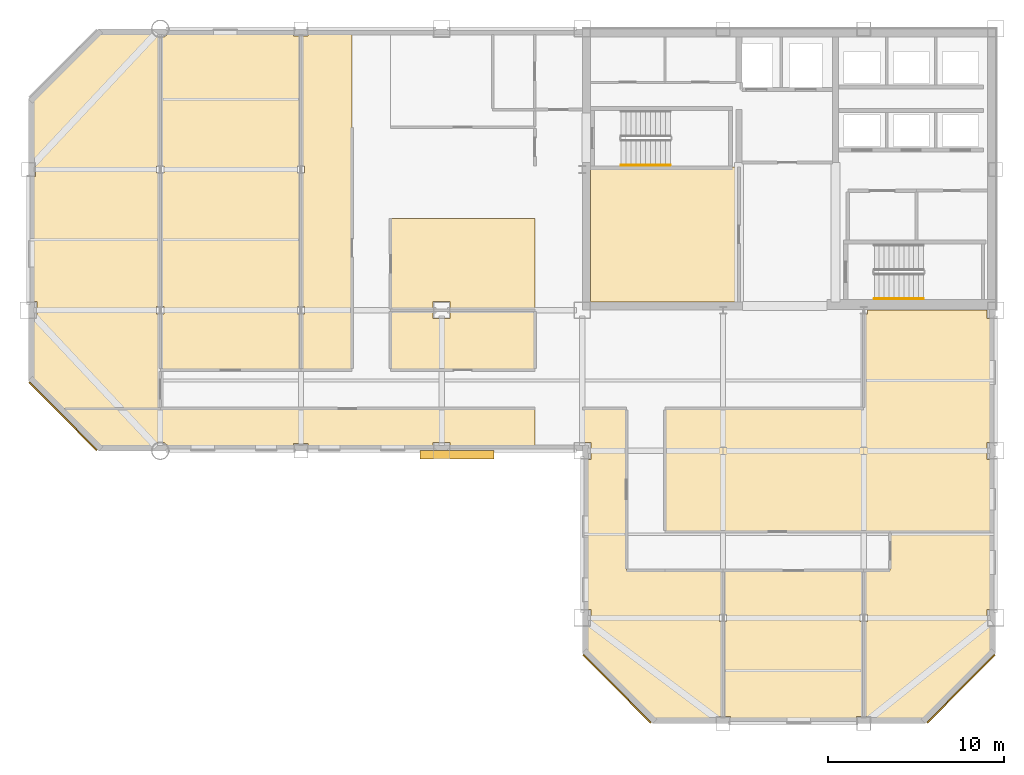
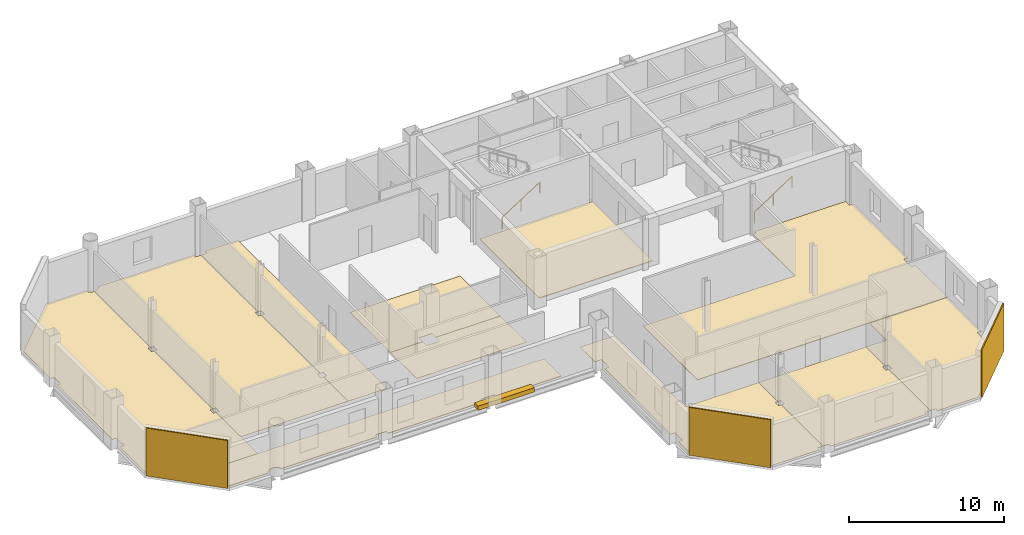
# One storey, part 7 of 10: 14 coverings, 2 railings, 1 shading device.
"""IFC4 building model written with IfcOpenShell, lengths in metres."""

from ifc_helpers import new_model, si_unit, direction, frame, origin, origin_2d, place, context, subcontext, project, spatial, polyline, rectangle, circle, outline, extrude, material, layer, layer_set, type_object, element, save


model = new_model("IFC4")

# Units and contexts
model_context = context("Model", 3, precision=1e-05, world=origin(), true_north=direction((0.0, 1.0)))
body_context = subcontext(model_context, "Body", "Model", "MODEL_VIEW")
ifc_project = project(units=[si_unit("LENGTHUNIT", "METRE"), si_unit("AREAUNIT", "SQUARE_METRE"), si_unit("VOLUMEUNIT", "CUBIC_METRE"), si_unit("PLANEANGLEUNIT", "RADIAN"), si_unit("MASSUNIT", "GRAM", prefix="KILO")], contexts=[model_context])

# Site, building, storey
site_placement = place(None, origin())
site = spatial("IfcSite", under=ifc_project, at=site_placement, CompositionType="ELEMENT")
building_placement = place(site_placement, origin())
building = spatial("IfcBuilding", under=site, at=building_placement, Name="Qianrong Seaharbour Tower", CompositionType="ELEMENT")
storey_placement = place(building_placement, frame((0.0, 0.0, 217.800048828125)))
storey = spatial("IfcBuildingStorey", under=building, at=storey_placement, Name="L52", CompositionType="ELEMENT", Elevation=217.800048828125)

# Coverings
ifc_material_1 = material(Name="Unitised red brick cladding on Precast concrete C45/55", Category="masonry")
ifc_layer_1 = layer(ifc_material_1, 0.080078125)
ifc_layer_set_1 = layer_set([ifc_layer_1], Name="Unitised red brick cladding on Precast concrete C45/55")
covering_type_1 = type_object("IfcCoveringType", Name="COV-CLAD-RED-BRICK-80", PredefinedType="CLADDING", material=ifc_layer_set_1)
for number, where, z_axis, x_axis, name in (
    (1, (10.9716796875, 29.9716796875, 0.0), (0.0, 0.0, 1.0), (-0.707106781187, 0.707106781187, 0.0), "L52 Chamfer Corner Brick Cladding 02"),
    (2, (62.0283203125, 14.4716796875, 0.0), (0.0, 0.0, 1.0), (-0.707106781187, -0.707106781187, 0.0), "L52 Chamfer Corner Brick Cladding 07"),
    (3, (42.4716796875, 14.4716796875, 0.0), (0.0, 0.0, 1.0), (-0.707106781187, 0.707106781187, 0.0), "L52 Chamfer Corner Brick Cladding 09"),
):
    element("IfcCovering", number, at=place(storey_placement, frame(where, z_axis=z_axis, x_axis=x_axis)), inside=storey, type_object=covering_type_1, Name=name, PredefinedType="CLADDING", context=body_context, shape_type="SweptSolid", body=[
        extrude(rectangle(XDim=5.456787109375, YDim=0.080078125, at=origin_2d()), origin(), (0.0, 0.0, 1.0), 3.77490234375),
    ])
ifc_material_2 = material(Name="Acoustic modular carpet tile flooring")
ifc_layer_2 = layer(ifc_material_2, 0.02001953125)
ifc_layer_set_2 = layer_set([ifc_layer_2], Name="Acoustic modular carpet tile flooring")
covering_type_2 = type_object("IfcCoveringType", Name="COV-FLOOR-CARPET-20", PredefinedType="FLOORING", material=ifc_layer_set_2)
covering_1_placement = place(storey_placement, origin())
element("IfcCovering", 4, at=covering_1_placement, inside=storey, type_object=covering_type_2, Name="L52 Boardroom 1 Finish Flooring", PredefinedType="FLOORING", context=body_context, shape_type="SweptSolid", body=[
    extrude(outline(polyline([(9.1650390625, 32.068359375), (9.1650390625, 35.514892578125), (9.485107421875, 35.514892578125), (9.485107421875, 36.485107421875), (9.1650390625, 36.485107421875), (9.1650390625, 43.590087890625), (9.409912109375, 43.590087890625), (9.409912109375, 44.409912109375), (9.1650390625, 44.409912109375), (9.1650390625, 47.931640625), (13.068359375, 51.8349609375), (16.019775390625, 51.8349609375), (16.02880859375, 51.8046875), (16.075927734375, 51.716796875), (16.139404296875, 51.639404296875), (16.216796875, 51.575927734375), (16.3046875, 51.52880859375), (16.400390625, 51.499755859375), (16.5, 51.489990234375), (16.5, 44.2099609375), (16.2900390625, 44.2099609375), (16.2900390625, 43.7900390625), (16.5, 43.7900390625), (16.5, 36.2099609375), (16.2900390625, 36.2099609375), (16.2900390625, 35.7900390625), (16.5, 35.7900390625), (16.5, 30.39990234375), (10.833251953125, 30.39990234375), (9.1650390625, 32.068359375)])), origin(), (0.0, 0.0, 1.0), 0.02001953125),
])
covering_2_placement = place(storey_placement, origin())
element("IfcCovering", 5, at=covering_2_placement, inside=storey, type_object=covering_type_2, Name="L52 Meeting Room 2 Finish Flooring", PredefinedType="FLOORING", context=body_context, shape_type="SweptSolid", body=[
    extrude(outline(polyline([(24.090087890625, 51.8349609375), (24.090087890625, 51.590087890625), (24.5, 51.590087890625), (24.5, 44.2099609375), (24.2900390625, 44.2099609375), (24.2900390625, 43.7900390625), (24.5, 43.7900390625), (24.5, 36.2099609375), (24.2900390625, 36.2099609375), (24.2900390625, 35.7900390625), (24.5, 35.7900390625), (24.5, 32.60009765625), (16.5, 32.60009765625), (16.5, 35.7900390625), (16.7099609375, 35.7900390625), (16.7099609375, 36.2099609375), (16.5, 36.2099609375), (16.5, 43.7900390625), (16.7099609375, 43.7900390625), (16.7099609375, 44.2099609375), (16.5, 44.2099609375), (16.5, 51.489990234375), (16.599609375, 51.499755859375), (16.6953125, 51.52880859375), (16.783203125, 51.575927734375), (16.860595703125, 51.639404296875), (16.924072265625, 51.716796875), (16.97119140625, 51.8046875), (16.980224609375, 51.8349609375), (24.090087890625, 51.8349609375)])), origin(), (0.0, 0.0, 1.0), 0.02001953125),
])
covering_3_placement = place(storey_placement, origin())
element("IfcCovering", 6, at=covering_3_placement, inside=storey, type_object=covering_type_2, Name="L52 Project Library 3 Finish Flooring", PredefinedType="FLOORING", context=body_context, shape_type="SweptSolid", body=[
    extrude(outline(polyline([(27.39990234375, 51.8349609375), (27.39990234375, 32.60009765625), (24.5, 32.60009765625), (24.5, 35.7900390625), (24.7099609375, 35.7900390625), (24.7099609375, 36.2099609375), (24.5, 36.2099609375), (24.5, 43.7900390625), (24.7099609375, 43.7900390625), (24.7099609375, 44.2099609375), (24.5, 44.2099609375), (24.5, 51.590087890625), (24.909912109375, 51.590087890625), (24.909912109375, 51.8349609375), (27.39990234375, 51.8349609375)])), origin(), (0.0, 0.0, 1.0), 0.02001953125),
])
covering_4_placement = place(storey_placement, origin())
element("IfcCovering", 7, at=covering_4_placement, inside=storey, type_object=covering_type_2, Name="L52 Harbour Lecture Hall 1 Finish Flooring", PredefinedType="FLOORING", context=body_context, shape_type="SweptSolid", body=[
    extrude(outline(polyline([(32.014892578125, 36.0), (32.014892578125, 35.514892578125), (32.985107421875, 35.514892578125), (32.985107421875, 36.0), (37.800048828125, 36.0), (37.800048828125, 32.60009765625), (29.60009765625, 32.60009765625), (29.60009765625, 36.0), (32.014892578125, 36.0)])), origin(), (0.0, 0.0, 1.0), 0.02001953125),
])
covering_5_placement = place(storey_placement, origin())
element("IfcCovering", 8, at=covering_5_placement, inside=storey, type_object=covering_type_2, Name="L52 Division Conference Gallery 2 Finish Flooring", PredefinedType="FLOORING", context=body_context, shape_type="SweptSolid", body=[
    extrude(outline(polyline([(37.800048828125, 41.199951171875), (37.800048828125, 36.0), (32.985107421875, 36.0), (32.985107421875, 36.485107421875), (32.014892578125, 36.485107421875), (32.014892578125, 36.0), (29.60009765625, 36.0), (29.60009765625, 41.199951171875), (37.800048828125, 41.199951171875)])), origin(), (0.0, 0.0, 1.0), 0.02001953125),
])
covering_6_placement = place(storey_placement, origin())
element("IfcCovering", 9, at=covering_6_placement, inside=storey, type_object=covering_type_2, Name="L52 Maritime Seminar Room 1 Finish Flooring", PredefinedType="FLOORING", context=body_context, shape_type="SweptSolid", body=[
    extrude(outline(polyline([(43.0, 21.199951171875), (48.5, 21.199951171875), (48.5, 18.7099609375), (48.2900390625, 18.7099609375), (48.2900390625, 18.2900390625), (48.5, 18.2900390625), (48.5, 12.909912109375), (48.090087890625, 12.909912109375), (48.090087890625, 12.6650390625), (44.568359375, 12.6650390625), (40.6650390625, 16.568359375), (40.6650390625, 18.014892578125), (40.985107421875, 18.014892578125), (40.985107421875, 18.985107421875), (40.6650390625, 18.985107421875), (40.6650390625, 27.514892578125), (40.985107421875, 27.514892578125), (40.985107421875, 28.485107421875), (40.5, 28.485107421875), (40.5, 30.39990234375), (43.0, 30.39990234375), (43.0, 21.199951171875)])), origin(), (0.0, 0.0, 1.0), 0.02001953125),
])
covering_7_placement = place(storey_placement, origin())
element("IfcCovering", 10, at=covering_7_placement, inside=storey, type_object=covering_type_2, Name="L52 Meeting Room 2 Finish Flooring", PredefinedType="FLOORING", context=body_context, shape_type="SweptSolid", body=[
    extrude(outline(polyline([(48.909912109375, 12.6650390625), (48.909912109375, 12.909912109375), (48.5, 12.909912109375), (48.5, 18.2900390625), (48.7099609375, 18.2900390625), (48.7099609375, 18.7099609375), (48.5, 18.7099609375), (48.5, 21.199951171875), (56.5, 21.199951171875), (56.5, 18.7099609375), (56.2900390625, 18.7099609375), (56.2900390625, 18.2900390625), (56.5, 18.2900390625), (56.5, 12.909912109375), (56.090087890625, 12.909912109375), (56.090087890625, 12.6650390625), (48.909912109375, 12.6650390625)])), origin(), (0.0, 0.0, 1.0), 0.02001953125),
])
covering_8_placement = place(storey_placement, origin())
element("IfcCovering", 11, at=covering_8_placement, inside=storey, type_object=covering_type_2, Name="L52 Standards Library 3 Finish Flooring", PredefinedType="FLOORING", context=body_context, shape_type="SweptSolid", body=[
    extrude(outline(polyline([(59.931640625, 12.6650390625), (56.909912109375, 12.6650390625), (56.909912109375, 12.909912109375), (56.5, 12.909912109375), (56.5, 18.2900390625), (56.7099609375, 18.2900390625), (56.7099609375, 18.7099609375), (56.5, 18.7099609375), (56.5, 21.199951171875), (58.0, 21.199951171875), (58.0, 23.39990234375), (63.8349609375, 23.39990234375), (63.8349609375, 18.985107421875), (63.514892578125, 18.985107421875), (63.514892578125, 18.014892578125), (63.8349609375, 18.014892578125), (63.8349609375, 16.568359375), (59.931640625, 12.6650390625)])), origin(), (0.0, 0.0, 1.0), 0.02001953125),
])
ifc_material_3 = material(Name="Calcium-sulphate raised access floor tile")
ifc_layer_3 = layer(ifc_material_3, 0.044921875)
ifc_layer_set_3 = layer_set([ifc_layer_3], Name="Calcium-sulphate raised access floor tile")
covering_type_3 = type_object("IfcCoveringType", Name="COV-FLOOR-RAISED-45", PredefinedType="FLOORING", material=ifc_layer_set_3)
covering_9_placement = place(storey_placement, origin())
element("IfcCovering", 12, at=covering_9_placement, inside=storey, type_object=covering_type_3, Name="L52 Data Systems Office Finish Flooring", PredefinedType="FLOORING", context=body_context, shape_type="SweptSolid", body=[
    extrude(outline(polyline([(49.39990234375, 44.14990234375), (49.39990234375, 36.4599609375), (40.985107421875, 36.4599609375), (40.985107421875, 36.485107421875), (40.9599609375, 36.485107421875), (40.9599609375, 44.14990234375), (49.39990234375, 44.14990234375)])), origin(), (0.0, 0.0, 1.0), 0.044921875),
])
covering_10_placement = place(storey_placement, origin())
element("IfcCovering", 13, at=covering_10_placement, inside=storey, type_object=covering_type_3, Name="L52 South Wing Open-Plan Office Finish Flooring", PredefinedType="FLOORING", context=body_context, shape_type="SweptSolid", body=[
    extrude(outline(polyline([(56.5, 30.39990234375), (56.5, 35.7900390625), (56.7099609375, 35.7900390625), (56.7099609375, 36.0), (63.514892578125, 36.0), (63.514892578125, 35.514892578125), (63.8349609375, 35.514892578125), (63.8349609375, 28.485107421875), (63.514892578125, 28.485107421875), (63.514892578125, 27.514892578125), (63.8349609375, 27.514892578125), (63.8349609375, 23.39990234375), (45.199951171875, 23.39990234375), (45.199951171875, 30.39990234375), (56.5, 30.39990234375)])), origin(), (0.0, 0.0, 1.0), 0.044921875),
])
covering_11_placement = place(storey_placement, origin())
element("IfcCovering", 14, at=covering_11_placement, inside=storey, type_object=covering_type_3, Name="L52 West Spine Open-Plan Office Finish Flooring", PredefinedType="FLOORING", context=body_context, shape_type="SweptSolid", body=[
    extrude(outline(polyline([(32.985107421875, 28.1650390625), (32.985107421875, 28.485107421875), (32.014892578125, 28.485107421875), (32.014892578125, 28.1650390625), (24.909912109375, 28.1650390625), (24.909912109375, 28.409912109375), (24.090087890625, 28.409912109375), (24.090087890625, 28.1650390625), (16.980224609375, 28.1650390625), (16.97119140625, 28.1953125), (16.924072265625, 28.283203125), (16.860595703125, 28.360595703125), (16.783203125, 28.424072265625), (16.6953125, 28.47119140625), (16.599609375, 28.500244140625), (16.5, 28.510009765625), (16.400390625, 28.500244140625), (16.3046875, 28.47119140625), (16.216796875, 28.424072265625), (16.139404296875, 28.360595703125), (16.075927734375, 28.283203125), (16.02880859375, 28.1953125), (16.019775390625, 28.1650390625), (13.068359375, 28.1650390625), (10.833251953125, 30.39990234375), (37.800048828125, 30.39990234375), (37.800048828125, 28.1650390625), (32.985107421875, 28.1650390625)])), origin(), (0.0, 0.0, 1.0), 0.044921875),
])

# Railings
ifc_material_4 = material(Name="Stainless steel SUS316L continuous handrail", Category="steel")
railing_type = type_object("IfcRailingType", Name="RAIL-STAIR-HANDRAIL-900", PredefinedType="HANDRAIL", material=ifc_material_4)
railing_1_placement = place(storey_placement, frame((42.699951171875, 44.25, 0.181884765625)))
element("IfcRailing", 15, at=railing_1_placement, inside=storey, type_object=railing_type, Name="L52 ST-1 stair handrail 1", PredefinedType="HANDRAIL", context=body_context, shape_type="SweptSolid", body=[
    extrude(circle(Radius=0.02392578125, at=origin_2d()), frame((0.0, 0.0, 0.8759765625), z_axis=(0.838705829183, 0.0, 0.544584733623), x_axis=(0.0, 1.0, 0.0)), (0.0, 0.0, 1.0), 3.338623046875),
    extrude(circle(Radius=0.02099609375, at=origin_2d()), origin(), (0.0, 0.0, 1.0), 0.851806640625),
    extrude(circle(Radius=0.02099609375, at=origin_2d()), frame((1.39990234375, 0.0, 0.9091796875)), (0.0, 0.0, 1.0), 0.851806640625),
    extrude(circle(Radius=0.02099609375, at=origin_2d()), frame((2.800048828125, 0.0, 1.818115234375)), (0.0, 0.0, 1.0), 0.851806640625),
])
railing_2_placement = place(storey_placement, frame((57.10009765625, 36.64990234375, 0.181884765625)))
element("IfcRailing", 16, at=railing_2_placement, inside=storey, type_object=railing_type, Name="L52 ST-2 stair handrail 1", PredefinedType="HANDRAIL", context=body_context, shape_type="SweptSolid", body=[
    extrude(circle(Radius=0.02392578125, at=origin_2d()), frame((0.0, 0.0, 0.8759765625), z_axis=(0.83868413941, 0.0, 0.544618136222), x_axis=(0.0, 1.0, 0.0)), (0.0, 0.0, 1.0), 3.33837890625),
    extrude(circle(Radius=0.02099609375, at=origin_2d()), origin(), (0.0, 0.0, 1.0), 0.851806640625),
    extrude(circle(Radius=0.02099609375, at=origin_2d()), frame((1.39990234375, 0.0, 0.9091796875)), (0.0, 0.0, 1.0), 0.851806640625),
    extrude(circle(Radius=0.02099609375, at=origin_2d()), frame((2.7998046875, 0.0, 1.818115234375)), (0.0, 0.0, 1.0), 0.851806640625),
])

# Shading device
ifc_material_5 = material(Name="White architectural precast concrete C45/55", Category="concrete")
shading_device_type = type_object("IfcShadingDeviceType", Name="SHD-SUNSHADE-WHITE-320", PredefinedType="AWNING", material=ifc_material_5)
shading_device_placement = place(storey_placement, frame((33.362548828125, 27.780029296875, -0.02001953125), z_axis=(0.0, 0.0, 1.0), x_axis=(1.0, 0.0, 0.0)))
element("IfcShadingDevice", 17, at=shading_device_placement, inside=storey, type_object=shading_device_type, Name="L52 Climbing White Precast Ribbon Canopy Fin", PredefinedType="AWNING", context=body_context, shape_type="SweptSolid", body=[
    extrude(rectangle(XDim=4.199951171875, YDim=0.4599609375, at=origin_2d()), origin(), (0.0, 0.0, 1.0), 0.340087890625),
])

save(model, "model.ifc")
